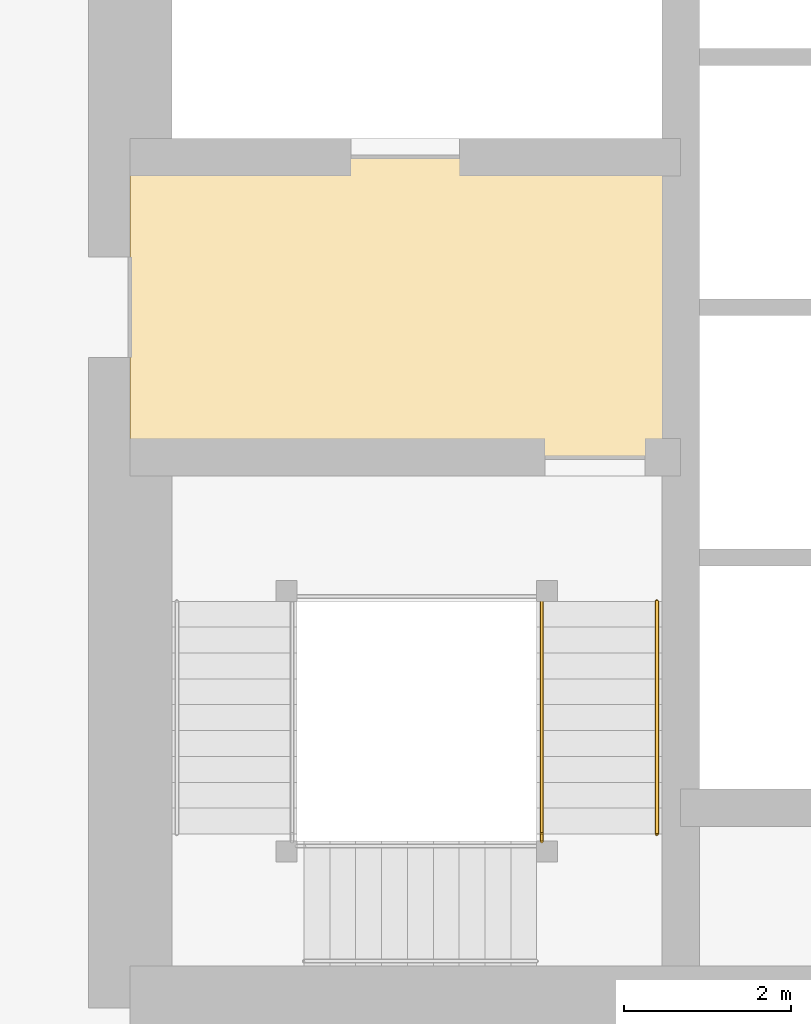
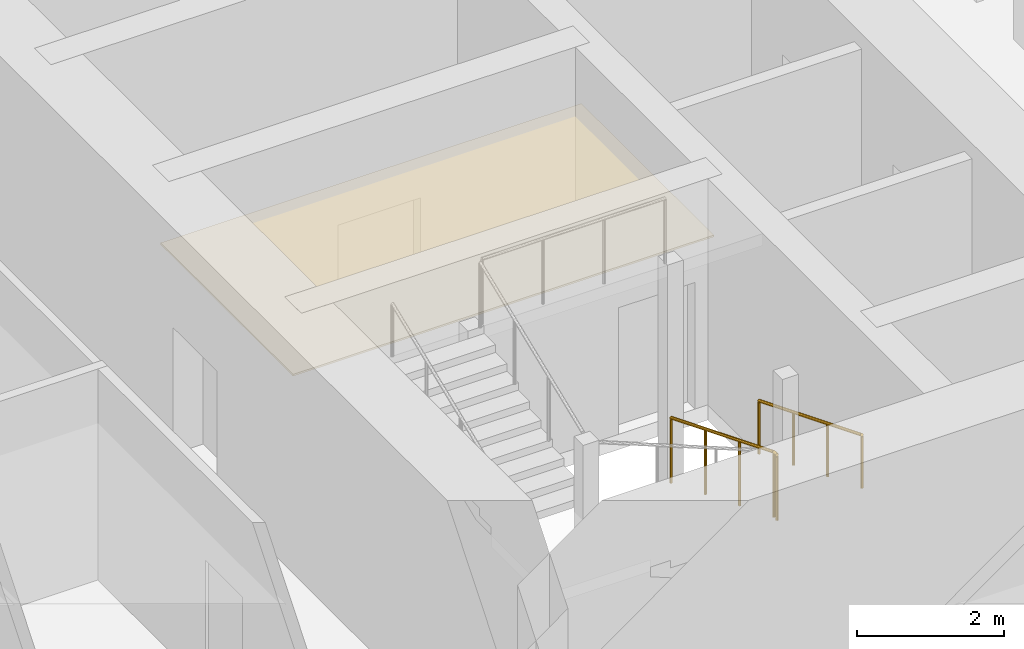
# One storey, part 29 of 37: 3 railings, 1 covering.
"""IFC4 building model written with IfcOpenShell, lengths in metres."""

from ifc_helpers import new_model, si_unit, direction, frame, origin, origin_2d, place, context, subcontext, project, spatial, polyline, circle, outline, extrude, material, layer, layer_set, type_object, element, save


model = new_model("IFC4")

# Units and contexts
model_context = context("Model", 3, precision=1e-05, world=origin(), true_north=direction((0.0, 1.0)))
body_context = subcontext(model_context, "Body", "Model", "MODEL_VIEW")
ifc_project = project(units=[si_unit("LENGTHUNIT", "METRE"), si_unit("AREAUNIT", "SQUARE_METRE"), si_unit("VOLUMEUNIT", "CUBIC_METRE"), si_unit("PLANEANGLEUNIT", "RADIAN"), si_unit("MASSUNIT", "GRAM", prefix="KILO")], contexts=[model_context])

# Site, building, storey
site_placement = place(None, origin())
site = spatial("IfcSite", under=ifc_project, at=site_placement, CompositionType="ELEMENT")
building_placement = place(site_placement, origin())
building = spatial("IfcBuilding", under=site, at=building_placement, Name="Rekha Terrace Tower", CompositionType="ELEMENT")
storey_placement = place(building_placement, frame((0.0, 0.0, 228.949951171875)))
storey = spatial("IfcBuildingStorey", under=building, at=storey_placement, Name="L58", CompositionType="ELEMENT", Elevation=228.949951171875)

# Covering
ifc_material_1 = material(Name="Powder-coated aluminium pan", Category="aluminium")
ifc_layer = layer(ifc_material_1, 0.030029296875)
ifc_layer_set = layer_set([ifc_layer], Name="Powder-coated aluminium pan")
covering_type = type_object("IfcCoveringType", Name="CL3 300x1200 metal pan ceiling", PredefinedType="CEILING", material=ifc_layer_set)
covering_placement = place(storey_placement, frame((0.0, 0.0, 2.570068359375)))
element("IfcCovering", 1, at=covering_placement, inside=storey, type_object=covering_type, Name="Ceiling L58-FLB1", PredefinedType="CEILING", context=body_context, shape_type="SweptSolid", body=[
    extrude(outline(polyline([(31.800048828125, 31.199951171875), (25.199951171875, 31.199951171875), (25.199951171875, 27.60009765625), (31.800048828125, 27.60009765625), (31.800048828125, 31.199951171875)])), origin(), (0.0, 0.0, 1.0), 0.030029296875),
])

# Railings
ifc_material_2 = material(Name="Stainless steel balustrade", Category="steel")
railing_type_1 = type_object("IfcRailingType", Name="GR1 1100 stair guard", PredefinedType="GUARDRAIL", material=ifc_material_2)
railing_1_placement = place(storey_placement, frame((30.135009765625, 25.875, 0.125)))
element("IfcRailing", 2, at=railing_1_placement, inside=storey, type_object=railing_type_1, Name="Guard ST1 L58 flight 1", PredefinedType="GUARDRAIL", context=body_context, shape_type="SweptSolid", body=[
    extrude(circle(Radius=0.02392578125, at=origin_2d()), frame((0.0, 0.0, 1.076171875), z_axis=(0.0, -0.927443287984, 0.373963831907), x_axis=(1.0, 0.0, 0.0)), (0.0, 0.0, 1.0), 3.00830078125),
    extrude(circle(Radius=0.02099609375, at=origin_2d()), origin(), (0.0, 0.0, 1.0), 1.052001953125),
    extrude(circle(Radius=0.02099609375, at=origin_2d()), frame((0.0, -0.929931640625, 0.375)), (0.0, 0.0, 1.0), 1.052001953125),
    extrude(circle(Radius=0.02099609375, at=origin_2d()), frame((0.0, -1.860107421875, 0.75)), (0.0, 0.0, 1.0), 1.052001953125),
    extrude(circle(Radius=0.02099609375, at=origin_2d()), frame((0.0, -2.7900390625, 1.125)), (0.0, 0.0, 1.0), 1.052001953125),
])
railing_2_placement = place(storey_placement, frame((30.135009765625, 23.0849609375, 1.25)))
element("IfcRailing", 3, at=railing_2_placement, inside=storey, type_object=railing_type_1, Name="Guard ST1 L58 landing 1", PredefinedType="GUARDRAIL", context=body_context, shape_type="SweptSolid", body=[
    extrude(circle(Radius=0.02392578125, at=origin_2d()), frame((0.0, 0.0, 1.076171875), z_axis=(0.0, -1.0, 0.0), x_axis=(1.0, 0.0, 0.0)), (0.0, 0.0, 1.0), 0.0849609375),
    extrude(circle(Radius=0.02099609375, at=origin_2d()), origin(), (0.0, 0.0, 1.0), 1.052001953125),
    extrude(circle(Radius=0.02099609375, at=origin_2d()), frame((0.0, -0.0849609375, 0.0)), (0.0, 0.0, 1.0), 1.052001953125),
])
ifc_material_3 = material(Name="Stainless steel tube", Category="steel")
railing_type_2 = type_object("IfcRailingType", Name="HR1 900 stair handrail", PredefinedType="HANDRAIL", material=ifc_material_3)
railing_3_placement = place(storey_placement, frame((31.514892578125, 25.875, 0.125)))
element("IfcRailing", 4, at=railing_3_placement, inside=storey, type_object=railing_type_2, Name="Handrail ST1 L58 flight 1", PredefinedType="HANDRAIL", context=body_context, shape_type="SweptSolid", body=[
    extrude(circle(Radius=0.02392578125, at=origin_2d()), frame((0.0, 0.0, 0.8759765625), z_axis=(0.0, -0.927443287984, 0.373963831907), x_axis=(1.0, 0.0, 0.0)), (0.0, 0.0, 1.0), 3.00830078125),
    extrude(circle(Radius=0.02099609375, at=origin_2d()), origin(), (0.0, 0.0, 1.0), 0.851806640625),
    extrude(circle(Radius=0.02099609375, at=origin_2d()), frame((0.0, -0.929931640625, 0.375)), (0.0, 0.0, 1.0), 0.851806640625),
    extrude(circle(Radius=0.02099609375, at=origin_2d()), frame((0.0, -1.860107421875, 0.75)), (0.0, 0.0, 1.0), 0.851806640625),
    extrude(circle(Radius=0.02099609375, at=origin_2d()), frame((0.0, -2.7900390625, 1.125)), (0.0, 0.0, 1.0), 0.851806640625),
])

save(model, "model.ifc")
